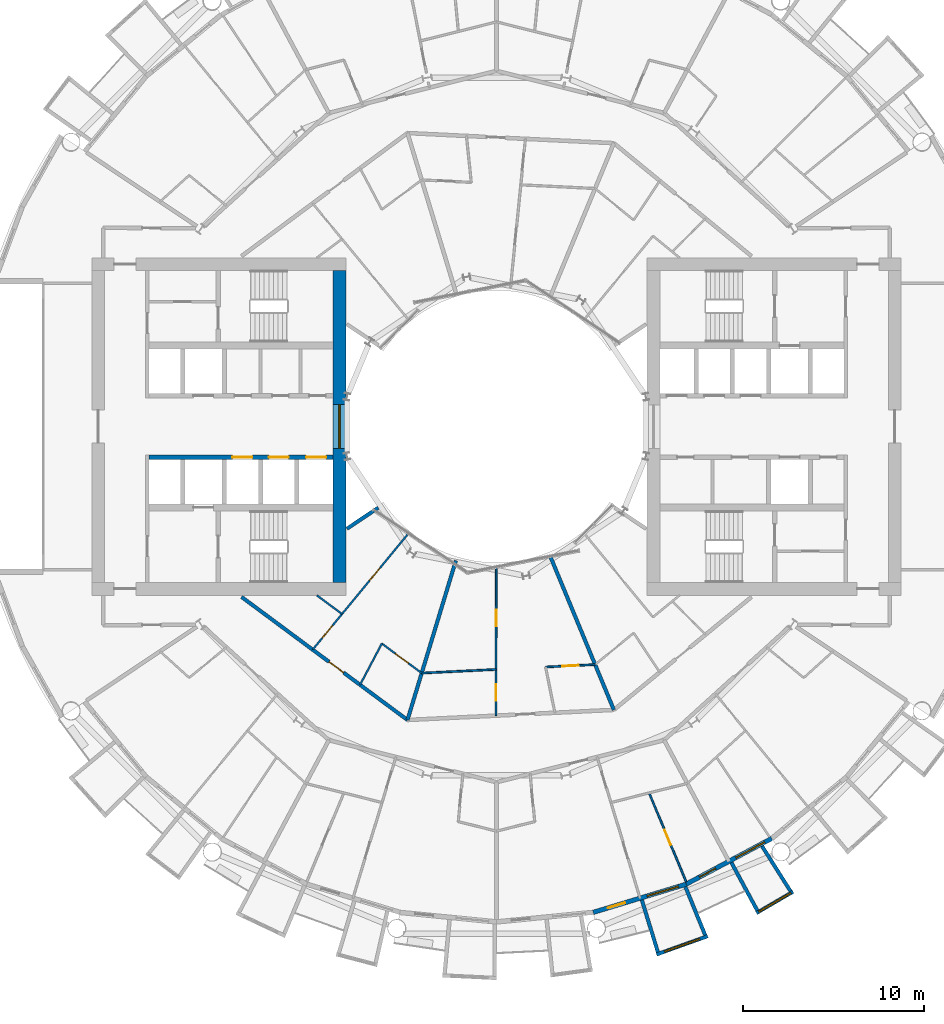
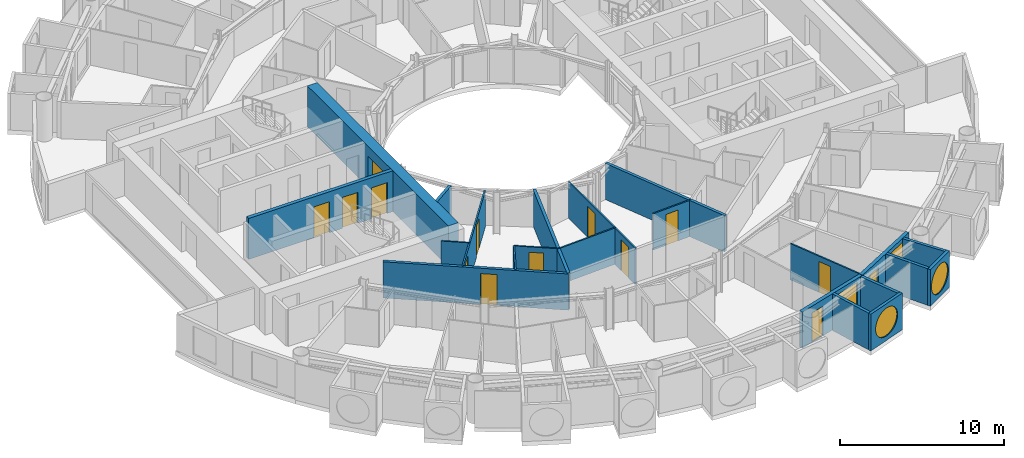
# One storey, part 15 of 26: 22 walls, 13 doors, 5 windows, 18 openings.
"""IFC4 building model written with IfcOpenShell, lengths in metres."""

import ifcopenshell
import ifcopenshell.guid

model = None  # the IFC model being written
_history = None  # IfcOwnerHistory: only IFC2X3 demands one
_inside = {}  # id of a spatial element -> (the spatial element, [elements in it])
_under = {}  # id of a project, library or spatial element -> (it, [spatial elements below it])
_declared = {}  # id of a project -> (the project, [libraries it declares])
_typed = {}  # id of a type object -> (the type object, [elements of that type])
_made_of = {}  # id of a material, layer set ... -> (it, [elements and type objects made of it])


def new_model(schema):
    """Start an empty IFC model of exactly this schema.

    Asked for "IFC4X3", IfcOpenShell would pick the latest addendum, in which some entities
    have other attributes; the version numbers below select the first issue.
    IFC2X3 requires an IfcOwnerHistory on every rooted entity: one is made here for all.
    """
    global model, _history
    if schema == "IFC4X3":
        model = ifcopenshell.file(schema_version=(4, 3, 0, 0))
    else:
        model = ifcopenshell.file(schema=schema)
    _inside.clear()
    _under.clear()
    _declared.clear()
    _typed.clear()
    _made_of.clear()
    _history = None
    if model.schema == "IFC2X3":
        org = make("IfcOrganization", Name="unknown")
        user = make(
            "IfcPersonAndOrganization",
            ThePerson=make("IfcPerson", FamilyName="unknown"),
            TheOrganization=org,
        )
        app = make(
            "IfcApplication",
            ApplicationDeveloper=org,
            Version="unknown",
            ApplicationFullName="unknown",
            ApplicationIdentifier="unknown",
        )
        _history = make(
            "IfcOwnerHistory",
            OwningUser=user,
            OwningApplication=app,
            ChangeAction="ADDED",
            CreationDate=0,
        )
    return model


def make(cls, **values):
    """One entity of the class cls with the attributes given. An attribute that is None is left unset."""
    return model.create_entity(
        cls, **{name: value for name, value in values.items() if value is not None}
    )


def rooted(cls, **values):
    """An entity with a GlobalId (a new one), such as an element, a storey or a relation."""
    return make(cls, GlobalId=ifcopenshell.guid.new(), OwnerHistory=_history, **values)


def si_unit(unit_type, name, prefix=None):
    """IfcSIUnit, for example si_unit("LENGTHUNIT", "METRE", prefix="MILLI")."""
    return make("IfcSIUnit", UnitType=unit_type, Prefix=prefix, Name=name)


def assignment(units):
    """IfcUnitAssignment: the units of a project."""
    return None if units is None else make("IfcUnitAssignment", Units=units)


def point(xyz):
    """IfcCartesianPoint."""
    return None if xyz is None else make("IfcCartesianPoint", Coordinates=xyz)


def direction(xyz):
    """IfcDirection."""
    return None if xyz is None else make("IfcDirection", DirectionRatios=xyz)


def frame(location, z_axis=None, x_axis=None):
    """IfcAxis2Placement3D, a coordinate frame: its origin and axes. An axis left out is left unset."""
    return make(
        "IfcAxis2Placement3D",
        Location=point(location),
        Axis=direction(z_axis),
        RefDirection=direction(x_axis),
    )


def frame_2d(location, x_axis=None):
    """IfcAxis2Placement2D, a coordinate frame in the plane: its origin and x axis."""
    return make(
        "IfcAxis2Placement2D", Location=point(location), RefDirection=direction(x_axis)
    )


def origin():
    """The frame at (0, 0, 0) with its axes left unset."""
    return frame((0.0, 0.0, 0.0))


def place(relative_to, where):
    """IfcLocalPlacement: puts the frame where relative to a parent placement (None: the world)."""
    return make(
        "IfcLocalPlacement", PlacementRelTo=relative_to, RelativePlacement=where
    )


def context(
    kind, dimensions, precision=None, world=None, true_north=None, identifier=None
):
    """IfcGeometricRepresentationContext, for example the 3D "Model" context."""
    return make(
        "IfcGeometricRepresentationContext",
        ContextIdentifier=identifier,
        ContextType=kind,
        CoordinateSpaceDimension=dimensions,
        Precision=precision,
        WorldCoordinateSystem=world,
        TrueNorth=true_north,
    )


def subcontext(parent, identifier, kind, view, scale=None):
    """IfcGeometricRepresentationSubContext, for example "Body" below "Model"."""
    return make(
        "IfcGeometricRepresentationSubContext",
        ContextIdentifier=identifier,
        ContextType=kind,
        ParentContext=parent,
        TargetScale=scale,
        TargetView=view,
    )


def project(units=None, contexts=None):
    """IfcProject with its units and contexts."""
    return rooted(
        "IfcProject",
        Name="project",
        RepresentationContexts=contexts,
        UnitsInContext=assignment(units),
    )


def spatial(cls, under=None, at=None, **own):
    """A site, building, storey or space (cls), placed at a placement, below another one or the project."""
    s = rooted(cls, ObjectPlacement=at, **own)
    if under is not None:
        _under.setdefault(under.id(), (under, []))[1].append(s)
    return s


def profile(cls, at=None, kind="AREA", **sizes):
    """A parametric profile (cls). Its sizes go by their IFC names, for example OverallWidth=200.0."""
    return make(cls, ProfileType=kind, Position=at, **sizes)


def rectangle(**sizes):
    """IfcRectangleProfileDef."""
    return profile("IfcRectangleProfileDef", **sizes)


def circle(**sizes):
    """IfcCircleProfileDef."""
    return profile("IfcCircleProfileDef", **sizes)


def extrude(swept, where, along, depth):
    """IfcExtrudedAreaSolid: the profile swept, set in the frame where, extruded along a direction by depth."""
    return make(
        "IfcExtrudedAreaSolid",
        SweptArea=swept,
        Position=where,
        ExtrudedDirection=direction(along),
        Depth=depth,
    )


def shape(context_of_items, identifier, shape_type, items):
    """IfcShapeRepresentation: the items that make up one representation, for example the "Body"."""
    return make(
        "IfcShapeRepresentation",
        ContextOfItems=context_of_items,
        RepresentationIdentifier=identifier,
        RepresentationType=shape_type,
        Items=items,
    )


def material(Name=None, Category=None):
    """IfcMaterial."""
    return make("IfcMaterial", Name=Name, Category=Category)


def layer(
    of_material, thickness, ventilated=None, Name=None, Category=None, Priority=None
):
    """IfcMaterialLayer: one layer of a wall or slab, of a material (None: an air gap)."""
    return make(
        "IfcMaterialLayer",
        Material=of_material,
        LayerThickness=thickness,
        IsVentilated=ventilated,
        Name=Name,
        Category=Category,
        Priority=Priority,
    )


def layer_set(layers, Name=None):
    """IfcMaterialLayerSet."""
    return make("IfcMaterialLayerSet", MaterialLayers=layers, LayerSetName=Name)


def made_of(thing, what):
    """Note that an element or type object is made of a material, layer set ...; save() writes the relation."""
    if what is not None:
        _made_of.setdefault(what.id(), (what, []))[1].append(thing)
    return thing


def type_object(cls, material=None, **own):
    """A type object (cls), such as IfcWallType, which elements share."""
    return made_of(rooted(cls, **own), material)


def element(
    cls,
    number,
    at=None,
    inside=None,
    cuts=None,
    type_object=None,
    material=None,
    context=None,
    identifier="Body",
    shape_type=None,
    held_by="IfcProductDefinitionShape",
    body=None,
    shapes=None,
    **own,
):
    """One element of the class cls, such as IfcWall. Its Tag is "e" and its number.

    at: its placement. inside: the storey or other place that contains it. cuts: it is an
    opening in that element (IfcRelVoidsElement). A single representation is given by context,
    identifier, shape_type and body (its items); several are given by shapes. held_by: the class
    of the entity that holds the representations. save() writes the other relations.
    """
    e = rooted(cls, Tag="e%d" % number, ObjectPlacement=at, **own)
    if body is not None:
        shapes = [shape(context, identifier, shape_type, body)]
    if shapes is not None:
        e.Representation = make(held_by, Representations=shapes)
    if inside is not None:
        _inside.setdefault(inside.id(), (inside, []))[1].append(e)
    if cuts is not None:
        rooted(
            "IfcRelVoidsElement", RelatingBuildingElement=cuts, RelatedOpeningElement=e
        )
    if type_object is not None:
        _typed.setdefault(type_object.id(), (type_object, []))[1].append(e)
    return made_of(e, material)


def fill(opening, filler):
    """IfcRelFillsElement: the door or window that sits in an opening."""
    return rooted(
        "IfcRelFillsElement",
        RelatingOpeningElement=opening,
        RelatedBuildingElement=filler,
    )


def aggregate(whole, parts):
    """IfcRelAggregates: a whole, such as a stair, and the parts it consists of."""
    return rooted("IfcRelAggregates", RelatingObject=whole, RelatedObjects=parts)


def save(model, path):
    """Write the relations noted so far, then the file.

    IfcRelAggregates (storeys below a building ...), IfcRelContainedInSpatialStructure (elements
    in a storey), IfcRelDefinesByType, IfcRelAssociatesMaterial and IfcRelDeclares: one each for
    every whole, place, type object, material and project.
    """
    for whole, parts in _under.values():
        aggregate(whole, parts)
    for where, things in _inside.values():
        rooted(
            "IfcRelContainedInSpatialStructure",
            RelatedElements=things,
            RelatingStructure=where,
        )
    for kind, things in _typed.values():
        rooted("IfcRelDefinesByType", RelatedObjects=things, RelatingType=kind)
    for what, things in _made_of.values():
        rooted("IfcRelAssociatesMaterial", RelatedObjects=things, RelatingMaterial=what)
    for by, libraries in _declared.values():
        rooted("IfcRelDeclares", RelatingContext=by, RelatedDefinitions=libraries)
    model.write(path)


model = new_model("IFC4")

# Units and contexts
model_context = context("Model", 3, precision=1e-05, world=origin(), true_north=direction((0.0, 1.0)))
body_context = subcontext(model_context, "Body", "Model", "MODEL_VIEW")
ifc_project = project(units=[si_unit("LENGTHUNIT", "METRE"), si_unit("AREAUNIT", "SQUARE_METRE"), si_unit("VOLUMEUNIT", "CUBIC_METRE"), si_unit("PLANEANGLEUNIT", "RADIAN"), si_unit("MASSUNIT", "GRAM", prefix="KILO")], contexts=[model_context])

# Site, building, storey
site_placement = place(None, origin())
site = spatial("IfcSite", under=ifc_project, at=site_placement, CompositionType="ELEMENT")
building_placement = place(site_placement, origin())
building = spatial("IfcBuilding", under=site, at=building_placement, Name="Maasbend Ring Residences", CompositionType="ELEMENT")
storey_placement = place(building_placement, frame((0.0, 0.0, 84.949951171875)))
storey = spatial("IfcBuildingStorey", under=building, at=storey_placement, Name="L24", CompositionType="ELEMENT", Elevation=84.949951171875)

# Wall, openings, doors
ifc_material_1 = material(Name="Concrete C70/85", Category="concrete")
ifc_layer_1 = layer(ifc_material_1, 0.25)
ifc_layer_set_1 = layer_set([ifc_layer_1], Name="Concrete C70/85")
wall_type_1 = type_object("IfcWallType", Name="CORE WALL 250 C70/85", PredefinedType="SHEAR", material=ifc_layer_set_1)
wall_1_placement = place(storey_placement, frame((-9.0, -1.699951171875, 0.0), z_axis=(0.0, 0.0, 1.0), x_axis=(-1.0, 0.0, 0.0)))
wall_1 = element("IfcWall", 1, at=wall_1_placement, inside=storey, type_object=wall_type_1, Name="L24 core W wall SPN", PredefinedType="SHEAR", context=body_context, shape_type="SweptSolid", body=[
    extrude(rectangle(XDim=10.14990234375, YDim=0.25, at=frame_2d((5.074951171875, 0.0))), origin(), (0.0, 0.0, 1.0), 3.050048828125),
])
opening_1_placement = place(wall_1_placement, frame((0.387451171875, 0.0, 0.0)))
opening_1 = element("IfcOpeningElement", 2, at=opening_1_placement, cuts=wall_1, Name="Opening LD-W2401", PredefinedType="OPENING", context=body_context, shape_type="SweptSolid", body=[
    extrude(rectangle(XDim=1.10009765625, YDim=2.300048828125, at=frame_2d((0.550048828125, 1.14990234375))), frame((0.0, 0.135009765625, 0.0), z_axis=(0.0, -1.0, 0.0), x_axis=(1.0, 0.0, 0.0)), (0.0, 0.0, 1.0), 0.27001953125),
])
opening_2_placement = place(wall_1_placement, frame((2.449951171875, 0.0, 0.0)))
opening_2 = element("IfcOpeningElement", 3, at=opening_2_placement, cuts=wall_1, Name="Opening LD-W2402", PredefinedType="OPENING", context=body_context, shape_type="SweptSolid", body=[
    extrude(rectangle(XDim=1.10009765625, YDim=2.300048828125, at=frame_2d((0.550048828125, 1.14990234375))), frame((0.0, 0.135009765625, 0.0), z_axis=(0.0, -1.0, 0.0), x_axis=(1.0, 0.0, 0.0)), (0.0, 0.0, 1.0), 0.27001953125),
])
opening_3_placement = place(wall_1_placement, frame((4.449951171875, 0.0, 0.0)))
opening_3 = element("IfcOpeningElement", 4, at=opening_3_placement, cuts=wall_1, Name="Opening LD-W2403", PredefinedType="OPENING", context=body_context, shape_type="SweptSolid", body=[
    extrude(rectangle(XDim=1.10009765625, YDim=2.300048828125, at=frame_2d((0.550048828125, 1.14990234375))), frame((0.0, 0.135009765625, 0.0), z_axis=(0.0, -1.0, 0.0), x_axis=(1.0, 0.0, 0.0)), (0.0, 0.0, 1.0), 0.27001953125),
])
ifc_material_2 = material(Name="Stainless steel 316", Category="steel")
door_type_1 = type_object("IfcDoorType", Name="LANDING DOOR 1100 X 2300 FD60", OperationType="DOUBLE_DOOR_SLIDING", PredefinedType="DOOR", material=ifc_material_2)
door_1_placement = place(opening_1_placement, origin())
door_1 = element("IfcDoor", 5, at=door_1_placement, inside=storey, type_object=door_type_1, Name="Landing door LR-W1 L24", OperationType="DOUBLE_DOOR_SLIDING", OverallHeight=2.300048828125, OverallWidth=1.10009765625, PredefinedType="DOOR", context=body_context, shape_type="SweptSolid", body=[
    extrude(rectangle(XDim=1.10009765625, YDim=2.300048828125, at=frame_2d((0.550048828125, 1.14990234375))), frame((0.0, 0.02490234375, 0.0), z_axis=(0.0, -1.0, 0.0), x_axis=(1.0, 0.0, 0.0)), (0.0, 0.0, 1.0), 0.050048828125),
])
fill(opening_1, door_1)
door_2_placement = place(opening_2_placement, origin())
door_2 = element("IfcDoor", 6, at=door_2_placement, inside=storey, type_object=door_type_1, Name="Landing door LR-W2 L24", OperationType="DOUBLE_DOOR_SLIDING", OverallHeight=2.300048828125, OverallWidth=1.10009765625, PredefinedType="DOOR", context=body_context, shape_type="SweptSolid", body=[
    extrude(rectangle(XDim=1.10009765625, YDim=2.300048828125, at=frame_2d((0.550048828125, 1.14990234375))), frame((0.0, 0.02490234375, 0.0), z_axis=(0.0, -1.0, 0.0), x_axis=(1.0, 0.0, 0.0)), (0.0, 0.0, 1.0), 0.050048828125),
])
fill(opening_2, door_2)
door_3_placement = place(opening_3_placement, origin())
door_3 = element("IfcDoor", 7, at=door_3_placement, inside=storey, type_object=door_type_1, Name="Landing door LR-W3 L24", OperationType="DOUBLE_DOOR_SLIDING", OverallHeight=2.300048828125, OverallWidth=1.10009765625, PredefinedType="DOOR", context=body_context, shape_type="SweptSolid", body=[
    extrude(rectangle(XDim=1.10009765625, YDim=2.300048828125, at=frame_2d((0.550048828125, 1.14990234375))), frame((0.0, 0.02490234375, 0.0), z_axis=(0.0, -1.0, 0.0), x_axis=(1.0, 0.0, 0.0)), (0.0, 0.0, 1.0), 0.050048828125),
])
fill(opening_3, door_3)

# Wall, opening, window
ifc_material_3 = material(Name="Concrete C70/85", Category="concrete")
ifc_layer_2 = layer(ifc_material_3, 0.699951171875)
ifc_layer_set_2 = layer_set([ifc_layer_2], Name="Concrete C70/85")
wall_type_2 = type_object("IfcWallType", Name="CORE WALL 700 C70/85", PredefinedType="SHEAR", material=ifc_layer_set_2)
wall_2_placement = place(storey_placement, frame((-8.64990234375, 8.60009765625, 0.0), z_axis=(0.0, 0.0, 1.0), x_axis=(0.0, -1.0, 0.0)))
wall_2 = element("IfcWall", 8, at=wall_2_placement, inside=storey, type_object=wall_type_2, Name="L24 core W wall PIN", PredefinedType="SHEAR", context=body_context, shape_type="SweptSolid", body=[
    extrude(rectangle(XDim=17.2001953125, YDim=0.699951171875, at=frame_2d((8.60009765625, 0.0))), origin(), (0.0, 0.0, 1.0), 3.050048828125),
])
opening_4_placement = place(wall_2_placement, frame((7.39990234375, 0.0, 0.10009765625)))
opening_4 = element("IfcOpeningElement", 9, at=opening_4_placement, cuts=wall_2, Name="Opening W-W2401", PredefinedType="OPENING", context=body_context, shape_type="SweptSolid", body=[
    extrude(rectangle(XDim=2.39990234375, YDim=2.199951171875, at=frame_2d((1.199951171875, 1.10009765625))), frame((0.0, 0.35986328125, 0.0), z_axis=(0.0, -1.0, 0.0), x_axis=(1.0, 0.0, 0.0)), (0.0, 0.0, 1.0), 0.719970703125),
])
ifc_material_4 = material(Name="Aluminium frame and clear glass", Category="aluminium")
window_type_1 = type_object("IfcWindowType", Name="FIXED WINDOW 2400 X 2200", PartitioningType="SINGLE_PANEL", PredefinedType="WINDOW", material=ifc_material_4)
window_1_placement = place(opening_4_placement, origin())
window_1 = element("IfcWindow", 10, at=window_1_placement, inside=storey, type_object=window_type_1, Name="Lobby window L24", OverallHeight=2.199951171875, OverallWidth=2.39990234375, PartitioningType="SINGLE_PANEL", PredefinedType="WINDOW", context=body_context, shape_type="SweptSolid", body=[
    extrude(rectangle(XDim=2.39990234375, YDim=2.199951171875, at=frame_2d((1.199951171875, 1.10009765625))), frame((0.0, 0.030029296875, 0.0), z_axis=(0.0, -1.0, 0.0), x_axis=(1.0, 0.0, 0.0)), (0.0, 0.0, 1.0), 0.06005859375),
])
fill(opening_4, window_1)

# Wall, opening, door
ifc_material_5 = material(Name="Concrete C30/37", Category="concrete")
ifc_layer_3 = layer(ifc_material_5, 0.199951171875)
ifc_layer_set_3 = layer_set([ifc_layer_3], Name="Concrete C30/37")
wall_type_3 = type_object("IfcWallType", Name="CORRIDOR WALL 200 CONCRETE", PredefinedType="PARTITIONING", material=ifc_layer_set_3)
wall_3_placement = place(storey_placement, frame((-14.052001953125, -9.388916015625, 0.0), z_axis=(0.0, 0.0, 1.0), x_axis=(0.803204584823, -0.59570327758, 0.0)))
wall_3 = element("IfcWall", 11, at=wall_3_placement, inside=storey, type_object=wall_type_3, Name="U-L24-w016", PredefinedType="PARTITIONING", context=body_context, shape_type="SweptSolid", body=[
    extrude(rectangle(XDim=11.386962890625, YDim=0.199951171875, at=frame_2d((5.693359375, 0.0))), origin(), (0.0, 0.0, 1.0), 2.699951171875),
])
opening_5_placement = place(wall_3_placement, frame((6.007080078125, 0.0, 0.0)))
opening_5 = element("IfcOpeningElement", 12, at=opening_5_placement, cuts=wall_3, Name="Opening D-2453", PredefinedType="OPENING", context=body_context, shape_type="SweptSolid", body=[
    extrude(rectangle(XDim=1.0, YDim=2.300048828125, at=frame_2d((0.5, 1.14990234375))), frame((0.0, 0.10986328125, 0.0), z_axis=(0.0, -1.0, 0.0), x_axis=(1.0, 0.0, 0.0)), (0.0, 0.0, 1.0), 0.219970703125),
])
ifc_material_6 = material(Name="Timber, fire-rated, painted", Category="wood")
door_type_2 = type_object("IfcDoorType", Name="FLAT ENTRANCE DOOR 1000 X 2300 FIRE-RATED", OperationType="NOTDEFINED", PredefinedType="DOOR", material=ifc_material_6)
door_4_placement = place(opening_5_placement, origin())
door_4 = element("IfcDoor", 13, at=door_4_placement, inside=storey, type_object=door_type_2, Name="D-2453", OperationType="SINGLE_SWING_RIGHT", OverallHeight=2.300048828125, OverallWidth=1.0, PredefinedType="DOOR", context=body_context, shape_type="SweptSolid", body=[
    extrude(rectangle(XDim=1.0, YDim=2.300048828125, at=frame_2d((0.5, 1.14990234375))), frame((0.0, 0.02490234375, 0.0), z_axis=(0.0, -1.0, 0.0), x_axis=(1.0, 0.0, 0.0)), (0.0, 0.0, 1.0), 0.050048828125),
])
fill(opening_5, door_4)

# Wall, opening, window
ifc_material_7 = material(Name="Pale anodised aluminium panel", Category="aluminium")
ifc_layer_4 = layer(ifc_material_7, 0.199951171875)
ifc_layer_set_4 = layer_set([ifc_layer_4], Name="EW-BOX")
wall_type_4 = type_object("IfcWallType", Name="EW-BOX", PredefinedType="SOLIDWALL", material=ifc_layer_set_4)
wall_4_placement = place(storey_placement, frame((8.820068359375, -29.093017578125, -0.030029296875), z_axis=(0.0, 0.0, 1.0), x_axis=(0.941461077774, 0.337121697664, 0.0)))
wall_4 = element("IfcWall", 14, at=wall_4_placement, inside=storey, type_object=wall_type_4, Name="Box front S14", PredefinedType="SOLIDWALL", context=body_context, shape_type="SweptSolid", body=[
    extrude(rectangle(XDim=2.9931640625, YDim=0.199951171875, at=frame_2d((1.49658203125, 0.0))), origin(), (0.0, 0.0, 1.0), 2.72998046875),
])
opening_6_placement = place(wall_4_placement, frame((0.45654296875, 0.0, 0.330078125)))
opening_6 = element("IfcOpeningElement", 15, at=opening_6_placement, cuts=wall_4, Name="Opening W-RD", PredefinedType="OPENING", context=body_context, shape_type="SweptSolid", body=[
    extrude(circle(Radius=1.0400390625, at=frame_2d((1.0400390625, 1.0400390625))), frame((0.0, 0.10986328125, 0.0), z_axis=(0.0, -1.0, 0.0), x_axis=(1.0, 0.0, 0.0)), (0.0, 0.0, 1.0), 0.219970703125),
])
ifc_material_8 = material(Name="Aluminium and clear glass", Category="aluminium")
window_type_2 = type_object("IfcWindowType", Name="W-RD", PartitioningType="SINGLE_PANEL", PredefinedType="WINDOW", material=ifc_material_8)
window_2_placement = place(opening_6_placement, origin())
window_2 = element("IfcWindow", 16, at=window_2_placement, inside=storey, type_object=window_type_2, Name="Round window S14", OverallHeight=2.080078125, OverallWidth=2.080078125, PartitioningType="SINGLE_PANEL", PredefinedType="WINDOW", context=body_context, shape_type="SweptSolid", body=[
    extrude(circle(Radius=1.0400390625, at=frame_2d((1.0400390625, 1.0400390625))), frame((0.0, 0.030029296875, 0.0), z_axis=(0.0, -1.0, 0.0), x_axis=(1.0, 0.0, 0.0)), (0.0, 0.0, 1.0), 0.06005859375),
])
fill(opening_6, window_2)

# Walls
wall_5_placement = place(storey_placement, frame((8.009033203125, -26.092041015625, -0.030029296875), z_axis=(0.0, 0.0, 1.0), x_axis=(0.293406695073, -0.955987715029, 0.0)))
element("IfcWall", 17, at=wall_5_placement, inside=storey, type_object=wall_type_4, Name="Box side wall S14 left", PredefinedType="SOLIDWALL", context=body_context, shape_type="SweptSolid", body=[
    extrude(rectangle(XDim=3.00634765625, YDim=0.199951171875, at=frame_2d((1.503173828125, 0.0))), origin(), (0.0, 0.0, 1.0), 2.72998046875),
])
wall_6_placement = place(storey_placement, frame((10.408935546875, -25.364013671875, -0.030029296875), z_axis=(0.0, 0.0, 1.0), x_axis=(0.379509886562, -0.925187681501, 0.0)))
element("IfcWall", 18, at=wall_6_placement, inside=storey, type_object=wall_type_4, Name="Box side wall S14 right", PredefinedType="SOLIDWALL", context=body_context, shape_type="SweptSolid", body=[
    extrude(rectangle(XDim=2.882568359375, YDim=0.199951171875, at=frame_2d((1.44140625, 0.0))), origin(), (0.0, 0.0, 1.0), 2.72998046875),
])

# Wall, opening, window
wall_7_placement = place(storey_placement, frame((14.326904296875, -26.81201171875, -0.030029296875), z_axis=(0.0, 0.0, 1.0), x_axis=(0.863346521872, 0.504611517081, 0.0)))
wall_7 = element("IfcWall", 19, at=wall_7_placement, inside=storey, type_object=wall_type_4, Name="Box front S16", PredefinedType="SOLIDWALL", context=body_context, shape_type="SweptSolid", body=[
    extrude(rectangle(XDim=2.33642578125, YDim=0.199951171875, at=frame_2d((1.168212890625, 0.0))), origin(), (0.0, 0.0, 1.0), 2.72998046875),
])
opening_7_placement = place(wall_7_placement, frame((0.128173828125, 0.0, 0.330078125)))
opening_7 = element("IfcOpeningElement", 20, at=opening_7_placement, cuts=wall_7, Name="Opening W-RD", PredefinedType="OPENING", context=body_context, shape_type="SweptSolid", body=[
    extrude(circle(Radius=1.0400390625, at=frame_2d((1.0400390625, 1.0400390625))), frame((0.0, 0.10986328125, 0.0), z_axis=(0.0, -1.0, 0.0), x_axis=(1.0, 0.0, 0.0)), (0.0, 0.0, 1.0), 0.219970703125),
])
window_3_placement = place(opening_7_placement, origin())
window_3 = element("IfcWindow", 21, at=window_3_placement, inside=storey, type_object=window_type_2, Name="Round window S16", OverallHeight=2.080078125, OverallWidth=2.080078125, PartitioningType="SINGLE_PANEL", PredefinedType="WINDOW", context=body_context, shape_type="SweptSolid", body=[
    extrude(circle(Radius=1.0400390625, at=frame_2d((1.0400390625, 1.0400390625))), frame((0.0, 0.030029296875, 0.0), z_axis=(0.0, -1.0, 0.0), x_axis=(1.0, 0.0, 0.0)), (0.0, 0.0, 1.0), 0.06005859375),
])
fill(opening_7, window_3)

# Walls
wall_8_placement = place(storey_placement, frame((12.945068359375, -24.029052734375, -0.030029296875), z_axis=(0.0, 0.0, 1.0), x_axis=(0.474424310775, -0.88029629861, 0.0)))
element("IfcWall", 22, at=wall_8_placement, inside=storey, type_object=wall_type_4, Name="Box side wall S16 left", PredefinedType="SOLIDWALL", context=body_context, shape_type="SweptSolid", body=[
    extrude(rectangle(XDim=3.005859375, YDim=0.199951171875, at=frame_2d((1.5029296875, 0.0))), origin(), (0.0, 0.0, 1.0), 2.72998046875),
])
wall_9_placement = place(storey_placement, frame((14.635009765625, -23.1259765625, -0.030029296875), z_axis=(0.0, 0.0, 1.0), x_axis=(0.534437802731, -0.845207805816, 0.0)))
element("IfcWall", 23, at=wall_9_placement, inside=storey, type_object=wall_type_4, Name="Box side wall S16 right", PredefinedType="SOLIDWALL", context=body_context, shape_type="SweptSolid", body=[
    extrude(rectangle(XDim=2.931884765625, YDim=0.199951171875, at=frame_2d((1.4658203125, 0.0))), origin(), (0.0, 0.0, 1.0), 2.72998046875),
])

# Wall, openings, door, window
ifc_material_9 = material(Name="Aluminium clad insulated panel", Category="aluminium")
ifc_layer_5 = layer(ifc_material_9, 0.25)
ifc_layer_set_5 = layer_set([ifc_layer_5], Name="EW-GL")
wall_type_5 = type_object("IfcWallType", Name="EW-GL", PredefinedType="SOLIDWALL", material=ifc_layer_set_5)
wall_10_placement = place(storey_placement, frame((5.325927734375, -26.77490234375, 0.0), z_axis=(0.0, 0.0, 1.0), x_axis=(0.956965678721, 0.290201119486, 0.0)))
wall_10 = element("IfcWall", 24, at=wall_10_placement, inside=storey, type_object=wall_type_5, Name="External wall S07", PredefinedType="SOLIDWALL", context=body_context, shape_type="SweptSolid", body=[
    extrude(rectangle(XDim=5.351318359375, YDim=0.25, at=frame_2d((2.67578125, 0.0))), origin(), (0.0, 0.0, 1.0), 2.699951171875),
])
opening_8_placement = place(wall_10_placement, frame((0.841064453125, 0.0, 0.0)))
opening_8 = element("IfcOpeningElement", 25, at=opening_8_placement, cuts=wall_10, Name="Opening D-LG", PredefinedType="OPENING", context=body_context, shape_type="SweptSolid", body=[
    extrude(rectangle(XDim=1.0, YDim=2.199951171875, at=frame_2d((0.5, 1.10009765625))), frame((0.0, 0.135009765625, 0.0), z_axis=(0.0, -1.0, 0.0), x_axis=(1.0, 0.0, 0.0)), (0.0, 0.0, 1.0), 0.27001953125),
])
opening_9_placement = place(wall_10_placement, frame((3.110595703125, 0.0, 0.300048828125)))
opening_9 = element("IfcOpeningElement", 26, at=opening_9_placement, cuts=wall_10, Name="Opening W-BX", PredefinedType="OPENING", context=body_context, shape_type="SweptSolid", body=[
    extrude(rectangle(XDim=1.800048828125, YDim=2.10009765625, at=frame_2d((0.89990234375, 1.050048828125))), frame((0.0, 0.135009765625, 0.0), z_axis=(0.0, -1.0, 0.0), x_axis=(1.0, 0.0, 0.0)), (0.0, 0.0, 1.0), 0.27001953125),
])
ifc_material_10 = material(Name="Aluminium and clear glass", Category="aluminium")
door_type_3 = type_object("IfcDoorType", Name="D-LG", OperationType="SINGLE_SWING_LEFT", PredefinedType="DOOR", material=ifc_material_10)
door_5_placement = place(opening_8_placement, origin())
door_5 = element("IfcDoor", 27, at=door_5_placement, inside=storey, type_object=door_type_3, Name="Loggia door S13", OperationType="SINGLE_SWING_LEFT", OverallHeight=2.199951171875, OverallWidth=1.0, PredefinedType="DOOR", context=body_context, shape_type="SweptSolid", body=[
    extrude(rectangle(XDim=1.0, YDim=2.199951171875, at=frame_2d((0.5, 1.10009765625))), frame((0.0, 0.02490234375, 0.0), z_axis=(0.0, -1.0, 0.0), x_axis=(1.0, 0.0, 0.0)), (0.0, 0.0, 1.0), 0.050048828125),
])
fill(opening_8, door_5)
ifc_material_11 = material(Name="Aluminium and clear glass", Category="aluminium")
window_type_3 = type_object("IfcWindowType", Name="W-BX", PartitioningType="DOUBLE_PANEL_VERTICAL", PredefinedType="WINDOW", material=ifc_material_11)
window_4_placement = place(opening_9_placement, origin())
window_4 = element("IfcWindow", 28, at=window_4_placement, inside=storey, type_object=window_type_3, Name="Window S14 room to box", OverallHeight=2.10009765625, OverallWidth=1.800048828125, PartitioningType="SINGLE_PANEL", PredefinedType="WINDOW", context=body_context, shape_type="SweptSolid", body=[
    extrude(rectangle(XDim=1.800048828125, YDim=2.10009765625, at=frame_2d((0.89990234375, 1.050048828125))), frame((0.0, 0.030029296875, 0.0), z_axis=(0.0, -1.0, 0.0), x_axis=(1.0, 0.0, 0.0)), (0.0, 0.0, 1.0), 0.06005859375),
])
fill(opening_9, window_4)

wall_11_placement = place(storey_placement, frame((10.447021484375, -25.221923828125, 0.0), z_axis=(0.0, 0.0, 1.0), x_axis=(0.881915646801, 0.471407246368, 0.0)))
wall_11 = element("IfcWall", 29, at=wall_11_placement, inside=storey, type_object=wall_type_5, Name="External wall S08", PredefinedType="SOLIDWALL", context=body_context, shape_type="SweptSolid", body=[
    extrude(rectangle(XDim=5.35205078125, YDim=0.25, at=frame_2d((2.676025390625, 0.0))), origin(), (0.0, 0.0, 1.0), 2.699951171875),
])
opening_10_placement = place(wall_11_placement, frame((0.841064453125, 0.0, 0.0)))
opening_10 = element("IfcOpeningElement", 30, at=opening_10_placement, cuts=wall_11, Name="Opening D-LG", PredefinedType="OPENING", context=body_context, shape_type="SweptSolid", body=[
    extrude(rectangle(XDim=1.0, YDim=2.199951171875, at=frame_2d((0.5, 1.10009765625))), frame((0.0, 0.135009765625, 0.0), z_axis=(0.0, -1.0, 0.0), x_axis=(1.0, 0.0, 0.0)), (0.0, 0.0, 1.0), 0.27001953125),
])
opening_11_placement = place(wall_11_placement, frame((3.110595703125, 0.0, 0.300048828125)))
opening_11 = element("IfcOpeningElement", 31, at=opening_11_placement, cuts=wall_11, Name="Opening W-BX", PredefinedType="OPENING", context=body_context, shape_type="SweptSolid", body=[
    extrude(rectangle(XDim=1.800048828125, YDim=2.10009765625, at=frame_2d((0.89990234375, 1.050048828125))), frame((0.0, 0.135009765625, 0.0), z_axis=(0.0, -1.0, 0.0), x_axis=(1.0, 0.0, 0.0)), (0.0, 0.0, 1.0), 0.27001953125),
])
door_6_placement = place(opening_10_placement, origin())
door_6 = element("IfcDoor", 32, at=door_6_placement, inside=storey, type_object=door_type_3, Name="Loggia door S15", OperationType="SINGLE_SWING_LEFT", OverallHeight=2.199951171875, OverallWidth=1.0, PredefinedType="DOOR", context=body_context, shape_type="SweptSolid", body=[
    extrude(rectangle(XDim=1.0, YDim=2.199951171875, at=frame_2d((0.5, 1.10009765625))), frame((0.0, 0.02490234375, 0.0), z_axis=(0.0, -1.0, 0.0), x_axis=(1.0, 0.0, 0.0)), (0.0, 0.0, 1.0), 0.050048828125),
])
fill(opening_10, door_6)
window_5_placement = place(opening_11_placement, origin())
window_5 = element("IfcWindow", 33, at=window_5_placement, inside=storey, type_object=window_type_3, Name="Window S16 room to box", OverallHeight=2.10009765625, OverallWidth=1.800048828125, PartitioningType="SINGLE_PANEL", PredefinedType="WINDOW", context=body_context, shape_type="SweptSolid", body=[
    extrude(rectangle(XDim=1.800048828125, YDim=2.10009765625, at=frame_2d((0.89990234375, 1.050048828125))), frame((0.0, 0.030029296875, 0.0), z_axis=(0.0, -1.0, 0.0), x_axis=(1.0, 0.0, 0.0)), (0.0, 0.0, 1.0), 0.06005859375),
])
fill(opening_11, window_5)

# Wall
ifc_material_12 = material(Name="Gypsum board on steel studs", Category="steel")
ifc_layer_6 = layer(ifc_material_12, 0.10009765625)
ifc_layer_set_6 = layer_set([ifc_layer_6], Name="PARTITION 100 GYPSUM")
wall_type_6 = type_object("IfcWallType", Name="PARTITION 100 GYPSUM", PredefinedType="PARTITIONING", material=ifc_layer_set_6)
wall_12_placement = place(storey_placement, frame((-9.904052734375, -9.300048828125, 0.0), z_axis=(0.0, 0.0, 1.0), x_axis=(0.803135014325, -0.595797070121, 0.0)))
element("IfcWall", 34, at=wall_12_placement, inside=storey, type_object=wall_type_6, Name="U-L24-w020", PredefinedType="PARTITIONING", context=body_context, shape_type="SweptSolid", body=[
    extrude(rectangle(XDim=1.732177734375, YDim=0.10009765625, at=frame_2d((0.8662109375, 0.0))), origin(), (0.0, 0.0, 1.0), 2.699951171875),
])

# Wall, opening, door
wall_13_placement = place(storey_placement, frame((-6.319091796875, -11.9599609375, 0.0), z_axis=(0.0, 0.0, 1.0), x_axis=(0.803128348509, -0.595806055542, 0.0)))
wall_13 = element("IfcWall", 35, at=wall_13_placement, inside=storey, type_object=wall_type_6, Name="U-L24-w021", PredefinedType="PARTITIONING", context=body_context, shape_type="SweptSolid", body=[
    extrude(rectangle(XDim=2.734375, YDim=0.10009765625, at=frame_2d((1.3671875, 0.0))), origin(), (0.0, 0.0, 1.0), 2.699951171875),
])
opening_12_placement = place(wall_13_placement, frame((0.91796875, 0.0, 0.0)))
opening_12 = element("IfcOpeningElement", 36, at=opening_12_placement, cuts=wall_13, Name="Opening D-2454", PredefinedType="OPENING", context=body_context, shape_type="SweptSolid", body=[
    extrude(rectangle(XDim=0.89990234375, YDim=2.300048828125, at=frame_2d((0.449951171875, 1.14990234375))), frame((0.0, 0.06005859375, 0.0), z_axis=(0.0, -1.0, 0.0), x_axis=(1.0, 0.0, 0.0)), (0.0, 0.0, 1.0), 0.1201171875),
])
ifc_material_13 = material(Name="Timber, painted", Category="wood")
door_type_4 = type_object("IfcDoorType", Name="INTERNAL DOOR 900 X 2300", OperationType="NOTDEFINED", PredefinedType="DOOR", material=ifc_material_13)
door_7_placement = place(opening_12_placement, origin())
door_7 = element("IfcDoor", 37, at=door_7_placement, inside=storey, type_object=door_type_4, Name="D-2454", OperationType="SINGLE_SWING_RIGHT", OverallHeight=2.300048828125, OverallWidth=0.89990234375, PredefinedType="DOOR", context=body_context, shape_type="SweptSolid", body=[
    extrude(rectangle(XDim=0.89990234375, YDim=2.300048828125, at=frame_2d((0.449951171875, 1.14990234375))), frame((0.0, 0.02490234375, 0.0), z_axis=(0.0, -1.0, 0.0), x_axis=(1.0, 0.0, 0.0)), (0.0, 0.0, 1.0), 0.050048828125),
])
fill(opening_12, door_7)

# Wall
wall_14_placement = place(storey_placement, frame((-4.125, -13.587890625, 0.0), z_axis=(0.0, 0.0, 1.0), x_axis=(0.998798386358, 0.049007993321, 0.0)))
element("IfcWall", 38, at=wall_14_placement, inside=storey, type_object=wall_type_6, Name="U-L24-w022", PredefinedType="PARTITIONING", context=body_context, shape_type="SweptSolid", body=[
    extrude(rectangle(XDim=4.099853515625, YDim=0.10009765625, at=frame_2d((2.0498046875, 0.0))), origin(), (0.0, 0.0, 1.0), 2.699951171875),
])

# Wall, opening, door
wall_15_placement = place(storey_placement, frame((2.7041015625, -13.2529296875, 0.0), z_axis=(0.0, 0.0, 1.0), x_axis=(0.998796928508, 0.049037695739, 0.0)))
wall_15 = element("IfcWall", 39, at=wall_15_placement, inside=storey, type_object=wall_type_6, Name="U-L24-w023", PredefinedType="PARTITIONING", context=body_context, shape_type="SweptSolid", body=[
    extrude(rectangle(XDim=2.733154296875, YDim=0.10009765625, at=frame_2d((1.36669921875, 0.0))), origin(), (0.0, 0.0, 1.0), 2.699951171875),
])
opening_13_placement = place(wall_15_placement, frame((0.9169921875, 0.0, 0.0)))
opening_13 = element("IfcOpeningElement", 40, at=opening_13_placement, cuts=wall_15, Name="Opening D-2458", PredefinedType="OPENING", context=body_context, shape_type="SweptSolid", body=[
    extrude(rectangle(XDim=0.89990234375, YDim=2.300048828125, at=frame_2d((0.449951171875, 1.14990234375))), frame((0.0, 0.06005859375, 0.0), z_axis=(0.0, -1.0, 0.0), x_axis=(1.0, 0.0, 0.0)), (0.0, 0.0, 1.0), 0.1201171875),
])
door_8_placement = place(opening_13_placement, origin())
door_8 = element("IfcDoor", 41, at=door_8_placement, inside=storey, type_object=door_type_4, Name="D-2458", OperationType="SINGLE_SWING_RIGHT", OverallHeight=2.300048828125, OverallWidth=0.89990234375, PredefinedType="DOOR", context=body_context, shape_type="SweptSolid", body=[
    extrude(rectangle(XDim=0.89990234375, YDim=2.300048828125, at=frame_2d((0.449951171875, 1.14990234375))), frame((0.0, 0.02490234375, 0.0), z_axis=(0.0, -1.0, 0.0), x_axis=(1.0, 0.0, 0.0)), (0.0, 0.0, 1.0), 0.050048828125),
])
fill(opening_13, door_8)

# Wall, openings, doors
wall_16_placement = place(storey_placement, frame((-10.132080078125, -12.2958984375, 0.0), z_axis=(0.0, 0.0, 1.0), x_axis=(0.636105207978, 0.771602335652, 0.0)))
wall_16 = element("IfcWall", 42, at=wall_16_placement, inside=storey, type_object=wall_type_6, Name="U-L24-w039", PredefinedType="PARTITIONING", context=body_context, shape_type="SweptSolid", body=[
    extrude(rectangle(XDim=8.212646484375, YDim=0.10009765625, at=frame_2d((4.1064453125, 0.0))), origin(), (0.0, 0.0, 1.0), 2.699951171875),
])
opening_14_placement = place(wall_16_placement, frame((0.821044921875, 0.0, 0.0)))
opening_14 = element("IfcOpeningElement", 43, at=opening_14_placement, cuts=wall_16, Name="Opening D-2455", PredefinedType="OPENING", context=body_context, shape_type="SweptSolid", body=[
    extrude(rectangle(XDim=0.89990234375, YDim=2.300048828125, at=frame_2d((0.449951171875, 1.14990234375))), frame((0.0, 0.06005859375, 0.0), z_axis=(0.0, -1.0, 0.0), x_axis=(1.0, 0.0, 0.0)), (0.0, 0.0, 1.0), 0.1201171875),
])
opening_15_placement = place(wall_16_placement, frame((4.928955078125, 0.0, 0.0)))
opening_15 = element("IfcOpeningElement", 44, at=opening_15_placement, cuts=wall_16, Name="Opening D-2456", PredefinedType="OPENING", context=body_context, shape_type="SweptSolid", body=[
    extrude(rectangle(XDim=0.89990234375, YDim=2.300048828125, at=frame_2d((0.449951171875, 1.14990234375))), frame((0.0, 0.06005859375, 0.0), z_axis=(0.0, -1.0, 0.0), x_axis=(1.0, 0.0, 0.0)), (0.0, 0.0, 1.0), 0.1201171875),
])
door_9_placement = place(opening_14_placement, origin())
door_9 = element("IfcDoor", 45, at=door_9_placement, inside=storey, type_object=door_type_4, Name="D-2455", OperationType="SINGLE_SWING_LEFT", OverallHeight=2.300048828125, OverallWidth=0.89990234375, PredefinedType="DOOR", context=body_context, shape_type="SweptSolid", body=[
    extrude(rectangle(XDim=0.89990234375, YDim=2.300048828125, at=frame_2d((0.449951171875, 1.14990234375))), frame((0.0, 0.02490234375, 0.0), z_axis=(0.0, -1.0, 0.0), x_axis=(1.0, 0.0, 0.0)), (0.0, 0.0, 1.0), 0.050048828125),
])
fill(opening_14, door_9)
door_10_placement = place(opening_15_placement, origin())
door_10 = element("IfcDoor", 46, at=door_10_placement, inside=storey, type_object=door_type_4, Name="D-2456", OperationType="SINGLE_SWING_RIGHT", OverallHeight=2.300048828125, OverallWidth=0.89990234375, PredefinedType="DOOR", context=body_context, shape_type="SweptSolid", body=[
    extrude(rectangle(XDim=0.89990234375, YDim=2.300048828125, at=frame_2d((0.449951171875, 1.14990234375))), frame((0.0, 0.02490234375, 0.0), z_axis=(0.0, -1.0, 0.0), x_axis=(1.0, 0.0, 0.0)), (0.0, 0.0, 1.0), 0.050048828125),
])
fill(opening_15, door_10)

# Wall
wall_17_placement = place(storey_placement, frame((-7.51904296875, -14.23388671875, 0.0), z_axis=(0.0, 0.0, 1.0), x_axis=(0.467001992543, 0.884256263173, 0.0)))
element("IfcWall", 47, at=wall_17_placement, inside=storey, type_object=wall_type_6, Name="U-L24-w043", PredefinedType="PARTITIONING", context=body_context, shape_type="SweptSolid", body=[
    extrude(rectangle(XDim=2.571533203125, YDim=0.10009765625, at=frame_2d((1.28564453125, 0.0))), origin(), (0.0, 0.0, 1.0), 2.699951171875),
])

# Wall, openings, doors
wall_18_placement = place(storey_placement, frame((-0.031982421875, -15.93310546875, 0.0), z_axis=(0.0, 0.0, 1.0), x_axis=(0.002080789764, 0.999997835155, 0.0)))
wall_18 = element("IfcWall", 48, at=wall_18_placement, inside=storey, type_object=wall_type_6, Name="U-L24-w052", PredefinedType="PARTITIONING", context=body_context, shape_type="SweptSolid", body=[
    extrude(rectangle(XDim=8.213134765625, YDim=0.10009765625, at=frame_2d((4.1064453125, 0.0))), origin(), (0.0, 0.0, 1.0), 2.699951171875),
])
opening_16_placement = place(wall_18_placement, frame((0.822998046875, 0.0, 0.0)))
opening_16 = element("IfcOpeningElement", 49, at=opening_16_placement, cuts=wall_18, Name="Opening D-2459", PredefinedType="OPENING", context=body_context, shape_type="SweptSolid", body=[
    extrude(rectangle(XDim=0.89990234375, YDim=2.300048828125, at=frame_2d((0.449951171875, 1.14990234375))), frame((0.0, 0.06005859375, 0.0), z_axis=(0.0, -1.0, 0.0), x_axis=(1.0, 0.0, 0.0)), (0.0, 0.0, 1.0), 0.1201171875),
])
opening_17_placement = place(wall_18_placement, frame((4.929931640625, 0.0, 0.0)))
opening_17 = element("IfcOpeningElement", 50, at=opening_17_placement, cuts=wall_18, Name="Opening D-2460", PredefinedType="OPENING", context=body_context, shape_type="SweptSolid", body=[
    extrude(rectangle(XDim=0.89990234375, YDim=2.300048828125, at=frame_2d((0.449951171875, 1.14990234375))), frame((0.0, 0.06005859375, 0.0), z_axis=(0.0, -1.0, 0.0), x_axis=(1.0, 0.0, 0.0)), (0.0, 0.0, 1.0), 0.1201171875),
])
door_11_placement = place(opening_16_placement, origin())
door_11 = element("IfcDoor", 51, at=door_11_placement, inside=storey, type_object=door_type_4, Name="D-2459", OperationType="SINGLE_SWING_LEFT", OverallHeight=2.300048828125, OverallWidth=0.89990234375, PredefinedType="DOOR", context=body_context, shape_type="SweptSolid", body=[
    extrude(rectangle(XDim=0.89990234375, YDim=2.300048828125, at=frame_2d((0.449951171875, 1.14990234375))), frame((0.0, 0.02490234375, 0.0), z_axis=(0.0, -1.0, 0.0), x_axis=(1.0, 0.0, 0.0)), (0.0, 0.0, 1.0), 0.050048828125),
])
fill(opening_16, door_11)
door_12_placement = place(opening_17_placement, origin())
door_12 = element("IfcDoor", 52, at=door_12_placement, inside=storey, type_object=door_type_4, Name="D-2460", OperationType="SINGLE_SWING_RIGHT", OverallHeight=2.300048828125, OverallWidth=0.89990234375, PredefinedType="DOOR", context=body_context, shape_type="SweptSolid", body=[
    extrude(rectangle(XDim=0.89990234375, YDim=2.300048828125, at=frame_2d((0.449951171875, 1.14990234375))), frame((0.0, 0.02490234375, 0.0), z_axis=(0.0, -1.0, 0.0), x_axis=(1.0, 0.0, 0.0)), (0.0, 0.0, 1.0), 0.050048828125),
])
fill(opening_17, door_12)

# Wall, opening, door
wall_19_placement = place(storey_placement, frame((8.412109375, -20.19189453125, 0.0), z_axis=(0.0, 0.0, 1.0), x_axis=(0.384464934183, -0.923139596369, 0.0)))
wall_19 = element("IfcWall", 53, at=wall_19_placement, inside=storey, type_object=wall_type_6, Name="U-L24-w069", PredefinedType="PARTITIONING", context=body_context, shape_type="SweptSolid", body=[
    extrude(rectangle(XDim=5.300537109375, YDim=0.10009765625, at=frame_2d((2.650390625, 0.0))), origin(), (0.0, 0.0, 1.0), 2.699951171875),
])
opening_18_placement = place(wall_19_placement, frame((2.199951171875, 0.0, 0.0)))
opening_18 = element("IfcOpeningElement", 54, at=opening_18_placement, cuts=wall_19, Name="Opening D-2447", PredefinedType="OPENING", context=body_context, shape_type="SweptSolid", body=[
    extrude(rectangle(XDim=0.89990234375, YDim=2.300048828125, at=frame_2d((0.449951171875, 1.14990234375))), frame((0.0, 0.06005859375, 0.0), z_axis=(0.0, -1.0, 0.0), x_axis=(1.0, 0.0, 0.0)), (0.0, 0.0, 1.0), 0.1201171875),
])
door_13_placement = place(opening_18_placement, origin())
door_13 = element("IfcDoor", 55, at=door_13_placement, inside=storey, type_object=door_type_4, Name="D-2447", OperationType="SINGLE_SWING_LEFT", OverallHeight=2.300048828125, OverallWidth=0.89990234375, PredefinedType="DOOR", context=body_context, shape_type="SweptSolid", body=[
    extrude(rectangle(XDim=0.89990234375, YDim=2.300048828125, at=frame_2d((0.449951171875, 1.14990234375))), frame((0.0, 0.02490234375, 0.0), z_axis=(0.0, -1.0, 0.0), x_axis=(1.0, 0.0, 0.0)), (0.0, 0.0, 1.0), 0.050048828125),
])
fill(opening_18, door_13)

# Walls
ifc_material_14 = material(Name="Concrete C30/37", Category="concrete")
ifc_layer_7 = layer(ifc_material_14, 0.199951171875)
ifc_layer_set_7 = layer_set([ifc_layer_7], Name="Concrete C30/37")
wall_type_7 = type_object("IfcWallType", Name="PARTY WALL 200 CONCRETE", PredefinedType="PARTITIONING", material=ifc_layer_set_7)
wall_20_placement = place(storey_placement, frame((-6.512939453125, -4.471923828125, 0.0), z_axis=(0.0, 0.0, 1.0), x_axis=(-0.831382204863, -0.555701025225, 0.0)))
element("IfcWall", 56, at=wall_20_placement, inside=storey, type_object=wall_type_7, Name="U-L24-w026", PredefinedType="PARTITIONING", context=body_context, shape_type="SweptSolid", body=[
    extrude(rectangle(XDim=2.08203125, YDim=0.199951171875, at=frame_2d((1.041015625, 0.0))), origin(), (0.0, 0.0, 1.0), 2.699951171875),
])
wall_21_placement = place(storey_placement, frame((-4.906005859375, -16.172119140625, 0.0), z_axis=(0.0, 0.0, 1.0), x_axis=(0.290420725025, 0.956899055531, 0.0)))
element("IfcWall", 57, at=wall_21_placement, inside=storey, type_object=wall_type_7, Name="U-L24-w046", PredefinedType="PARTITIONING", context=body_context, shape_type="SweptSolid", body=[
    extrude(rectangle(XDim=9.179931640625, YDim=0.199951171875, at=frame_2d((4.58984375, 0.0))), origin(), (0.0, 0.0, 1.0), 2.699951171875),
])
wall_22_placement = place(storey_placement, frame((2.9541015625, -7.132080078125, 0.0), z_axis=(0.0, 0.0, 1.0), x_axis=(0.382646942224, -0.923894646378, 0.0)))
element("IfcWall", 58, at=wall_22_placement, inside=storey, type_object=wall_type_7, Name="U-L24-w059", PredefinedType="PARTITIONING", context=body_context, shape_type="SweptSolid", body=[
    extrude(rectangle(XDim=9.1806640625, YDim=0.199951171875, at=frame_2d((4.59033203125, 0.0))), origin(), (0.0, 0.0, 1.0), 2.699951171875),
])

save(model, "model.ifc")
